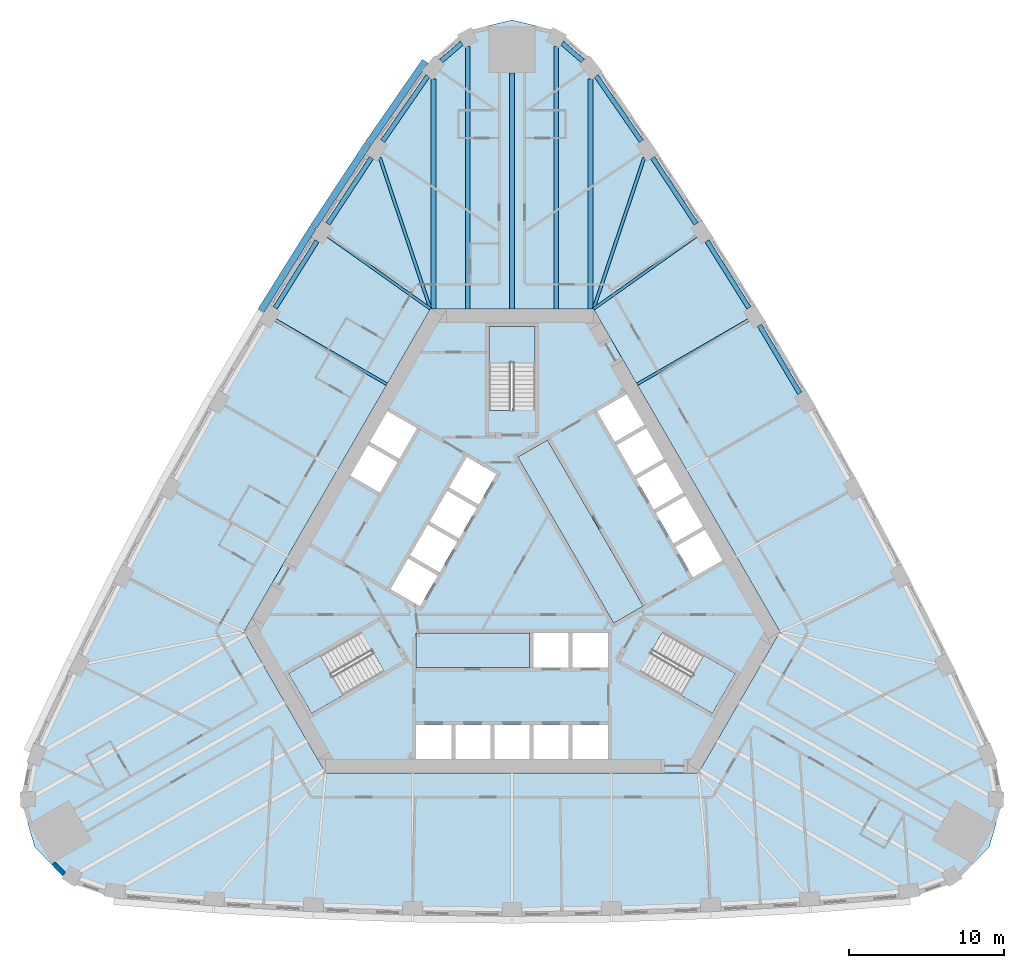
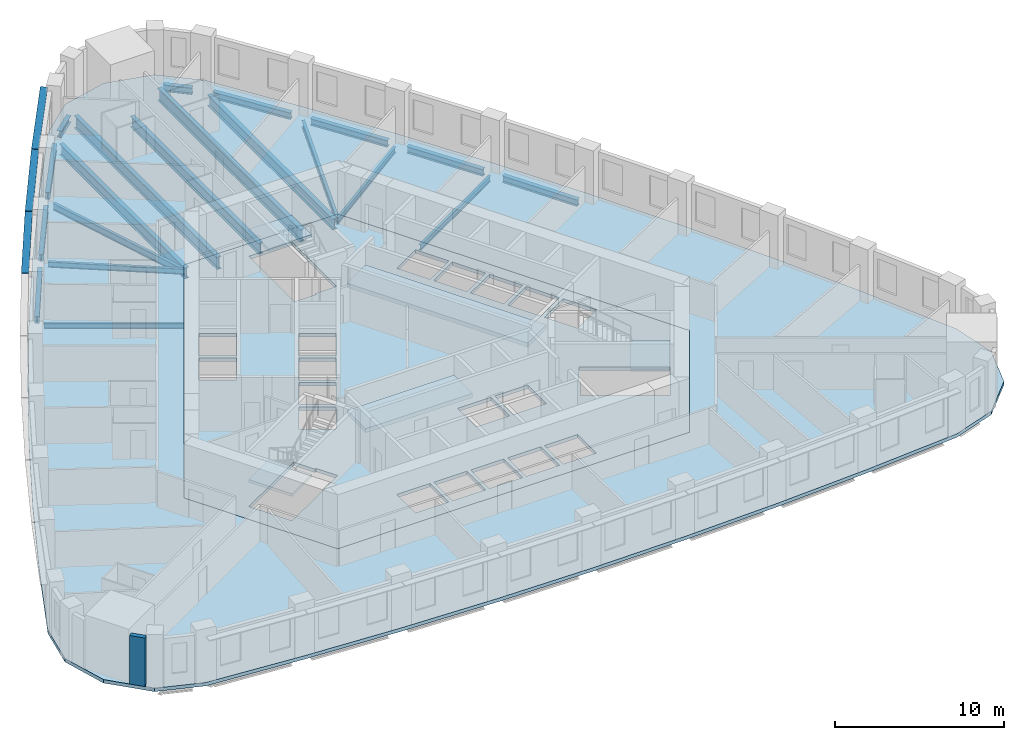
# One storey, part 2 of 12: 20 beams, 7 slabs, 3 members, 1 wall, 3 elements without a shape of their own.
"""IFC4 building model written with IfcOpenShell, lengths in metres."""

import ifcopenshell
import ifcopenshell.guid

model = None  # the IFC model being written
_history = None  # IfcOwnerHistory: only IFC2X3 demands one
_inside = {}  # id of a spatial element -> (the spatial element, [elements in it])
_under = {}  # id of a project, library or spatial element -> (it, [spatial elements below it])
_declared = {}  # id of a project -> (the project, [libraries it declares])
_typed = {}  # id of a type object -> (the type object, [elements of that type])
_made_of = {}  # id of a material, layer set ... -> (it, [elements and type objects made of it])


def new_model(schema):
    """Start an empty IFC model of exactly this schema.

    Asked for "IFC4X3", IfcOpenShell would pick the latest addendum, in which some entities
    have other attributes; the version numbers below select the first issue.
    IFC2X3 requires an IfcOwnerHistory on every rooted entity: one is made here for all.
    """
    global model, _history
    if schema == "IFC4X3":
        model = ifcopenshell.file(schema_version=(4, 3, 0, 0))
    else:
        model = ifcopenshell.file(schema=schema)
    _inside.clear()
    _under.clear()
    _declared.clear()
    _typed.clear()
    _made_of.clear()
    _history = None
    if model.schema == "IFC2X3":
        org = make("IfcOrganization", Name="unknown")
        user = make(
            "IfcPersonAndOrganization",
            ThePerson=make("IfcPerson", FamilyName="unknown"),
            TheOrganization=org,
        )
        app = make(
            "IfcApplication",
            ApplicationDeveloper=org,
            Version="unknown",
            ApplicationFullName="unknown",
            ApplicationIdentifier="unknown",
        )
        _history = make(
            "IfcOwnerHistory",
            OwningUser=user,
            OwningApplication=app,
            ChangeAction="ADDED",
            CreationDate=0,
        )
    return model


def make(cls, **values):
    """One entity of the class cls with the attributes given. An attribute that is None is left unset."""
    return model.create_entity(
        cls, **{name: value for name, value in values.items() if value is not None}
    )


def rooted(cls, **values):
    """An entity with a GlobalId (a new one), such as an element, a storey or a relation."""
    return make(cls, GlobalId=ifcopenshell.guid.new(), OwnerHistory=_history, **values)


def si_unit(unit_type, name, prefix=None):
    """IfcSIUnit, for example si_unit("LENGTHUNIT", "METRE", prefix="MILLI")."""
    return make("IfcSIUnit", UnitType=unit_type, Prefix=prefix, Name=name)


def assignment(units):
    """IfcUnitAssignment: the units of a project."""
    return None if units is None else make("IfcUnitAssignment", Units=units)


def point(xyz):
    """IfcCartesianPoint."""
    return None if xyz is None else make("IfcCartesianPoint", Coordinates=xyz)


def direction(xyz):
    """IfcDirection."""
    return None if xyz is None else make("IfcDirection", DirectionRatios=xyz)


def frame(location, z_axis=None, x_axis=None):
    """IfcAxis2Placement3D, a coordinate frame: its origin and axes. An axis left out is left unset."""
    return make(
        "IfcAxis2Placement3D",
        Location=point(location),
        Axis=direction(z_axis),
        RefDirection=direction(x_axis),
    )


def frame_2d(location, x_axis=None):
    """IfcAxis2Placement2D, a coordinate frame in the plane: its origin and x axis."""
    return make(
        "IfcAxis2Placement2D", Location=point(location), RefDirection=direction(x_axis)
    )


def origin():
    """The frame at (0, 0, 0) with its axes left unset."""
    return frame((0.0, 0.0, 0.0))


def origin_2d():
    """The frame at (0, 0) in the plane with its x axis left unset."""
    return frame_2d((0.0, 0.0))


def place(relative_to, where):
    """IfcLocalPlacement: puts the frame where relative to a parent placement (None: the world)."""
    return make(
        "IfcLocalPlacement", PlacementRelTo=relative_to, RelativePlacement=where
    )


def context(
    kind, dimensions, precision=None, world=None, true_north=None, identifier=None
):
    """IfcGeometricRepresentationContext, for example the 3D "Model" context."""
    return make(
        "IfcGeometricRepresentationContext",
        ContextIdentifier=identifier,
        ContextType=kind,
        CoordinateSpaceDimension=dimensions,
        Precision=precision,
        WorldCoordinateSystem=world,
        TrueNorth=true_north,
    )


def subcontext(parent, identifier, kind, view, scale=None):
    """IfcGeometricRepresentationSubContext, for example "Body" below "Model"."""
    return make(
        "IfcGeometricRepresentationSubContext",
        ContextIdentifier=identifier,
        ContextType=kind,
        ParentContext=parent,
        TargetScale=scale,
        TargetView=view,
    )


def project(units=None, contexts=None):
    """IfcProject with its units and contexts."""
    return rooted(
        "IfcProject",
        Name="project",
        RepresentationContexts=contexts,
        UnitsInContext=assignment(units),
    )


def spatial(cls, under=None, at=None, **own):
    """A site, building, storey or space (cls), placed at a placement, below another one or the project."""
    s = rooted(cls, ObjectPlacement=at, **own)
    if under is not None:
        _under.setdefault(under.id(), (under, []))[1].append(s)
    return s


def polyline(points):
    """IfcPolyline through the points."""
    return make("IfcPolyline", Points=[point(p) for p in points])


def profile(cls, at=None, kind="AREA", **sizes):
    """A parametric profile (cls). Its sizes go by their IFC names, for example OverallWidth=200.0."""
    return make(cls, ProfileType=kind, Position=at, **sizes)


def rectangle(**sizes):
    """IfcRectangleProfileDef."""
    return profile("IfcRectangleProfileDef", **sizes)


def i_section(**sizes):
    """IfcIShapeProfileDef."""
    return profile("IfcIShapeProfileDef", **sizes)


def outline(outer, holes=None, kind="AREA"):
    """IfcArbitraryClosedProfileDef: a profile drawn as a closed curve; with holes, ...WithVoids."""
    if holes is None:
        return make("IfcArbitraryClosedProfileDef", ProfileType=kind, OuterCurve=outer)
    return make(
        "IfcArbitraryProfileDefWithVoids",
        ProfileType=kind,
        OuterCurve=outer,
        InnerCurves=holes,
    )


def extrude(swept, where, along, depth):
    """IfcExtrudedAreaSolid: the profile swept, set in the frame where, extruded along a direction by depth."""
    return make(
        "IfcExtrudedAreaSolid",
        SweptArea=swept,
        Position=where,
        ExtrudedDirection=direction(along),
        Depth=depth,
    )


def shape(context_of_items, identifier, shape_type, items):
    """IfcShapeRepresentation: the items that make up one representation, for example the "Body"."""
    return make(
        "IfcShapeRepresentation",
        ContextOfItems=context_of_items,
        RepresentationIdentifier=identifier,
        RepresentationType=shape_type,
        Items=items,
    )


def material(Name=None, Category=None):
    """IfcMaterial."""
    return make("IfcMaterial", Name=Name, Category=Category)


def layer(
    of_material, thickness, ventilated=None, Name=None, Category=None, Priority=None
):
    """IfcMaterialLayer: one layer of a wall or slab, of a material (None: an air gap)."""
    return make(
        "IfcMaterialLayer",
        Material=of_material,
        LayerThickness=thickness,
        IsVentilated=ventilated,
        Name=Name,
        Category=Category,
        Priority=Priority,
    )


def layer_set(layers, Name=None):
    """IfcMaterialLayerSet."""
    return make("IfcMaterialLayerSet", MaterialLayers=layers, LayerSetName=Name)


def material_profile(
    of_material, cross_section, Name=None, Category=None, Priority=None
):
    """IfcMaterialProfile: a cross section and its material."""
    return make(
        "IfcMaterialProfile",
        Name=Name,
        Material=of_material,
        Profile=cross_section,
        Priority=Priority,
        Category=Category,
    )


def profile_set(profiles, Name=None, composite=None):
    """IfcMaterialProfileSet."""
    return make(
        "IfcMaterialProfileSet",
        Name=Name,
        MaterialProfiles=profiles,
        CompositeProfile=composite,
    )


def made_of(thing, what):
    """Note that an element or type object is made of a material, layer set ...; save() writes the relation."""
    if what is not None:
        _made_of.setdefault(what.id(), (what, []))[1].append(thing)
    return thing


def type_object(cls, material=None, **own):
    """A type object (cls), such as IfcWallType, which elements share."""
    return made_of(rooted(cls, **own), material)


def element(
    cls,
    number,
    at=None,
    inside=None,
    cuts=None,
    type_object=None,
    material=None,
    context=None,
    identifier="Body",
    shape_type=None,
    held_by="IfcProductDefinitionShape",
    body=None,
    shapes=None,
    **own,
):
    """One element of the class cls, such as IfcWall. Its Tag is "e" and its number.

    at: its placement. inside: the storey or other place that contains it. cuts: it is an
    opening in that element (IfcRelVoidsElement). A single representation is given by context,
    identifier, shape_type and body (its items); several are given by shapes. held_by: the class
    of the entity that holds the representations. save() writes the other relations.
    """
    e = rooted(cls, Tag="e%d" % number, ObjectPlacement=at, **own)
    if body is not None:
        shapes = [shape(context, identifier, shape_type, body)]
    if shapes is not None:
        e.Representation = make(held_by, Representations=shapes)
    if inside is not None:
        _inside.setdefault(inside.id(), (inside, []))[1].append(e)
    if cuts is not None:
        rooted(
            "IfcRelVoidsElement", RelatingBuildingElement=cuts, RelatedOpeningElement=e
        )
    if type_object is not None:
        _typed.setdefault(type_object.id(), (type_object, []))[1].append(e)
    return made_of(e, material)


def aggregate(whole, parts):
    """IfcRelAggregates: a whole, such as a stair, and the parts it consists of."""
    return rooted("IfcRelAggregates", RelatingObject=whole, RelatedObjects=parts)


def save(model, path):
    """Write the relations noted so far, then the file.

    IfcRelAggregates (storeys below a building ...), IfcRelContainedInSpatialStructure (elements
    in a storey), IfcRelDefinesByType, IfcRelAssociatesMaterial and IfcRelDeclares: one each for
    every whole, place, type object, material and project.
    """
    for whole, parts in _under.values():
        aggregate(whole, parts)
    for where, things in _inside.values():
        rooted(
            "IfcRelContainedInSpatialStructure",
            RelatedElements=things,
            RelatingStructure=where,
        )
    for kind, things in _typed.values():
        rooted("IfcRelDefinesByType", RelatedObjects=things, RelatingType=kind)
    for what, things in _made_of.values():
        rooted("IfcRelAssociatesMaterial", RelatedObjects=things, RelatingMaterial=what)
    for by, libraries in _declared.values():
        rooted("IfcRelDeclares", RelatingContext=by, RelatedDefinitions=libraries)
    model.write(path)


model = new_model("IFC4")

# Units and contexts
model_context = context("Model", 3, precision=1e-05, world=origin(), true_north=direction((0.0, 1.0)))
body_context = subcontext(model_context, "Body", "Model", "MODEL_VIEW")
ifc_project = project(units=[si_unit("LENGTHUNIT", "METRE"), si_unit("AREAUNIT", "SQUARE_METRE"), si_unit("VOLUMEUNIT", "CUBIC_METRE"), si_unit("PLANEANGLEUNIT", "RADIAN"), si_unit("MASSUNIT", "GRAM", prefix="KILO")], contexts=[model_context])

# Site, building, storey
site_placement = place(None, origin())
site = spatial("IfcSite", under=ifc_project, at=site_placement, CompositionType="ELEMENT")
building_placement = place(site_placement, origin())
building = spatial("IfcBuilding", under=site, at=building_placement, Name="Mestral Congress Tower", CompositionType="ELEMENT")
storey_placement = place(building_placement, frame((0.0, 0.0, 130.5)))
storey = spatial("IfcBuildingStorey", under=building, at=storey_placement, Name="L31", CompositionType="ELEMENT", Elevation=130.5)

# Members
ifc_material_1 = material(Name="Glazed ceramic", Category="masonry")
ifc_material_profile_1 = material_profile(ifc_material_1, rectangle(XDim=0.449951171875, YDim=0.06005859375, at=origin_2d()), Name="Ceramic blade 450 x 60")
ifc_profile_set_1 = profile_set([ifc_material_profile_1], Name="Glazed ceramic")
member_type = type_object("IfcMemberType", Name="Facade sunshade blade 450 x 60", PredefinedType="USERDEFINED", material=ifc_profile_set_1)
member_placement = place(storey_placement, frame((-5.590576171875, 32.8505859375, 3.280029296875), z_axis=(-0.569144736399, -0.822237355652, 0.0), x_axis=(0.822237355652, -0.569144736399, 0.0)))
element("IfcMember", 1, at=member_placement, inside=storey, type_object=member_type, Name="Sunshade F2-00", ObjectType="SUNSHADE", PredefinedType="USERDEFINED", context=body_context, shape_type="SweptSolid", body=[
    extrude(rectangle(XDim=0.449951171875, YDim=0.06005859375, at=origin_2d()), origin(), (0.0, 0.0, 1.0), 6.421630859375),
])
for number, where, z_axis, x_axis, name in (
    (2, (-9.2705078125, 27.532958984375, 3.280029296875), (-0.549764307833, -0.835319822483, 0.0), (0.835319822483, -0.549764307833, 0.0), "Sunshade F2-01"),
    (3, (-12.797119140625, 22.173583984375, 3.280029296875), (-0.530060946156, -0.847959547007, 0.0), (0.847959547007, -0.530060946156, 0.0), "Sunshade F2-02"),
):
    element("IfcMember", number, at=place(storey_placement, frame(where, z_axis=z_axis, x_axis=x_axis)), inside=storey, type_object=member_type, Name=name, ObjectType="SUNSHADE", PredefinedType="USERDEFINED", context=body_context, shape_type="SweptSolid", body=[
        extrude(rectangle(XDim=0.449951171875, YDim=0.06005859375, at=origin_2d()), origin(), (0.0, 0.0, 1.0), 6.370361328125),
    ])

# Beams
ifc_material_2 = material(Name="Steel S355", Category="steel")
ifc_material_profile_2 = material_profile(ifc_material_2, i_section(OverallWidth=0.300048828125, OverallDepth=0.800048828125, WebThickness=0.017578125, FlangeThickness=0.032958984375, FilletRadius=0.030029296875, at=origin_2d()), Name="HEB 800")
ifc_profile_set_2 = profile_set([ifc_material_profile_2], Name="Steel S355")
beam_type_1 = type_object("IfcBeamType", Name="Floor beam HEB 800 S355", PredefinedType="BEAM", material=ifc_profile_set_2)
beam_1_placement = place(storey_placement, frame((5.056396484375, 31.72412109375, -0.64990234375), z_axis=(0.0, -1.0, 0.0), x_axis=(1.0, 0.0, 0.0)))
element("IfcBeam", 4, at=beam_1_placement, inside=storey, type_object=beam_type_1, Name="BM-L31-RB2-E08", PredefinedType="BEAM", context=body_context, shape_type="SweptSolid", body=[
    extrude(i_section(OverallWidth=0.300048828125, OverallDepth=0.800048828125, WebThickness=0.017578125, FlangeThickness=0.032958984375, FilletRadius=0.030029296875, at=origin_2d()), origin(), (0.0, 0.0, 1.0), 14.82421875),
])
beam_2_placement = place(storey_placement, frame((0.0, 32.098388671875, -0.64990234375), z_axis=(0.0, -1.0, 0.0), x_axis=(1.0, 0.0, 0.0)))
element("IfcBeam", 5, at=beam_2_placement, inside=storey, type_object=beam_type_1, Name="BM-L31-RB2-N", PredefinedType="BEAM", context=body_context, shape_type="SweptSolid", body=[
    extrude(i_section(OverallWidth=0.300048828125, OverallDepth=0.800048828125, WebThickness=0.017578125, FlangeThickness=0.032958984375, FilletRadius=0.030029296875, at=origin_2d()), origin(), (0.0, 0.0, 1.0), 15.198486328125),
])
beam_3_placement = place(storey_placement, frame((-5.056396484375, 31.72412109375, -0.64990234375), z_axis=(0.0, -1.0, 0.0), x_axis=(1.0, 0.0, 0.0)))
element("IfcBeam", 6, at=beam_3_placement, inside=storey, type_object=beam_type_1, Name="BM-L31-RB2-W00", PredefinedType="BEAM", context=body_context, shape_type="SweptSolid", body=[
    extrude(i_section(OverallWidth=0.300048828125, OverallDepth=0.800048828125, WebThickness=0.017578125, FlangeThickness=0.032958984375, FilletRadius=0.030029296875, at=origin_2d()), origin(), (0.0, 0.0, 1.0), 14.82421875),
])
ifc_material_profile_3 = material_profile(ifc_material_2, i_section(OverallWidth=0.300048828125, OverallDepth=0.89990234375, WebThickness=0.0185546875, FlangeThickness=0.034912109375, FilletRadius=0.030029296875, at=origin_2d()), Name="HEB 900")
ifc_profile_set_3 = profile_set([ifc_material_profile_3], Name="Steel S355")
beam_type_2 = type_object("IfcBeamType", Name="Floor beam HEB 900 S355", PredefinedType="BEAM", material=ifc_profile_set_3)
for number, where, z_axis, x_axis, name in (
    (7, (2.845703125, 33.794189453125, -0.699951171875), (0.0, -1.0, 0.0), (1.0, 0.0, 0.0), "BM-L31-RB2-N1"),
    (8, (-2.845703125, 33.794189453125, -0.699951171875), (0.0, -1.0, 0.0), (1.0, 0.0, 0.0), "BM-L31-RB2-N3"),
):
    element("IfcBeam", number, at=place(storey_placement, frame(where, z_axis=z_axis, x_axis=x_axis)), inside=storey, type_object=beam_type_2, Name=name, PredefinedType="BEAM", context=body_context, shape_type="SweptSolid", body=[
        extrude(i_section(OverallWidth=0.300048828125, OverallDepth=0.89990234375, WebThickness=0.0185546875, FlangeThickness=0.034912109375, FilletRadius=0.030029296875, at=origin_2d()), origin(), (0.0, 0.0, 1.0), 16.894287109375),
    ])
ifc_material_profile_4 = material_profile(ifc_material_2, i_section(OverallWidth=0.179931640625, OverallDepth=0.39990234375, WebThickness=0.008544921875, FlangeThickness=0.013427734375, FilletRadius=0.02099609375, at=origin_2d()), Name="IPE 400")
ifc_profile_set_4 = profile_set([ifc_material_profile_4], Name="Steel S355")
beam_type_3 = type_object("IfcBeamType", Name="Floor beam IPE 400 S355", PredefinedType="BEAM", material=ifc_profile_set_4)
beam_4_placement = place(storey_placement, frame((15.219482421875, 16.176513671875, -0.449951171875), z_axis=(-0.866015952286, -0.500016370119, 0.0), x_axis=(0.500016370119, -0.866015952286, 0.0)))
element("IfcBeam", 9, at=beam_4_placement, inside=storey, type_object=beam_type_3, Name="BM-L31-RB2-E05", PredefinedType="BEAM", context=body_context, shape_type="SweptSolid", body=[
    extrude(i_section(OverallWidth=0.179931640625, OverallDepth=0.39990234375, WebThickness=0.008544921875, FlangeThickness=0.013427734375, FilletRadius=0.02099609375, at=origin_2d()), origin(), (0.0, 0.0, 1.0), 8.268798828125),
])
for number, where, z_axis, x_axis, name in (
    (10, (11.849365234375, 21.568115234375, -0.449951171875), (-0.816232852676, -0.577723056673, 0.0), (0.577723056673, -0.816232852676, 0.0), "BM-L31-RB2-E06"),
    (11, (-11.849365234375, 21.568115234375, -0.449951171875), (0.816232852676, -0.577723056673, 0.0), (0.577723056673, 0.816232852676, 0.0), "BM-L31-RB2-W02"),
):
    element("IfcBeam", number, at=place(storey_placement, frame(where, z_axis=z_axis, x_axis=x_axis)), inside=storey, type_object=beam_type_3, Name=name, PredefinedType="BEAM", context=body_context, shape_type="SweptSolid", body=[
        extrude(i_section(OverallWidth=0.179931640625, OverallDepth=0.39990234375, WebThickness=0.008544921875, FlangeThickness=0.013427734375, FilletRadius=0.02099609375, at=origin_2d()), origin(), (0.0, 0.0, 1.0), 8.080322265625),
    ])
beam_5_placement = place(storey_placement, frame((-15.219482421875, 16.176513671875, -0.449951171875), z_axis=(0.866015952286, -0.500016370119, 0.0), x_axis=(0.500016370119, 0.866015952286, 0.0)))
element("IfcBeam", 12, at=beam_5_placement, inside=storey, type_object=beam_type_3, Name="BM-L31-RB2-W03", PredefinedType="BEAM", context=body_context, shape_type="SweptSolid", body=[
    extrude(i_section(OverallWidth=0.179931640625, OverallDepth=0.39990234375, WebThickness=0.008544921875, FlangeThickness=0.013427734375, FilletRadius=0.02099609375, at=origin_2d()), origin(), (0.0, 0.0, 1.0), 8.268798828125),
])
ifc_material_profile_5 = material_profile(ifc_material_2, i_section(OverallWidth=0.199951171875, OverallDepth=0.5, WebThickness=0.01025390625, FlangeThickness=0.01611328125, FilletRadius=0.02099609375, at=origin_2d()), Name="IPE 500")
ifc_profile_set_5 = profile_set([ifc_material_profile_5], Name="Steel S355")
beam_type_4 = type_object("IfcBeamType", Name="Floor beam IPE 500 S355", PredefinedType="BEAM", material=ifc_profile_set_5)
for number, where, z_axis, x_axis, name in (
    (13, (8.5185546875, 26.636962890625, -0.5), (-0.317888994992, -0.948127938025, 0.0), (0.948127938025, -0.317888994992, 0.0), "BM-L31-RB2-E07"),
    (14, (-8.5185546875, 26.636962890625, -0.5), (0.317888994992, -0.948127938025, 0.0), (0.948127938025, 0.317888994992, 0.0), "BM-L31-RB2-W01"),
):
    element("IfcBeam", number, at=place(storey_placement, frame(where, z_axis=z_axis, x_axis=x_axis)), inside=storey, type_object=beam_type_4, Name=name, PredefinedType="BEAM", context=body_context, shape_type="SweptSolid", body=[
        extrude(i_section(OverallWidth=0.199951171875, OverallDepth=0.5, WebThickness=0.01025390625, FlangeThickness=0.01611328125, FilletRadius=0.02099609375, at=origin_2d()), origin(), (0.0, 0.0, 1.0), 10.269775390625),
    ])
ifc_material_profile_6 = material_profile(ifc_material_2, i_section(OverallWidth=0.300048828125, OverallDepth=0.489990234375, WebThickness=0.011962890625, FlangeThickness=0.02294921875, FilletRadius=0.027099609375, at=origin_2d()), Name="HEA 500")
ifc_profile_set_6 = profile_set([ifc_material_profile_6], Name="Steel S355")
beam_type_5 = type_object("IfcBeamType", Name="Spandrel beam HEA 500 S355", PredefinedType="BEAM", material=ifc_profile_set_6)
for number, where, z_axis, x_axis, name in (
    (15, (18.542236328125, 11.455810546875, -0.4951171875), (-0.510081870963, 0.860125854114, 0.0), (-0.860125854114, -0.510081870963, 0.0), "SP-L31-SB2-E04"),
    (16, (15.2646484375, 16.95263671875, -0.4951171875), (-0.530046273959, 0.847968718446, 0.0), (-0.847968718446, -0.530046273959, 0.0), "SP-L31-SB2-E05"),
):
    element("IfcBeam", number, at=place(storey_placement, frame(where, z_axis=z_axis, x_axis=x_axis)), inside=storey, type_object=beam_type_5, Name=name, PredefinedType="BEAM", context=body_context, shape_type="SweptSolid", body=[
        extrude(i_section(OverallWidth=0.300048828125, OverallDepth=0.489990234375, WebThickness=0.011962890625, FlangeThickness=0.02294921875, FilletRadius=0.027099609375, at=origin_2d()), origin(), (0.0, 0.0, 1.0), 5.099853515625),
    ])
beam_6_placement = place(storey_placement, frame((11.859619140625, 22.371337890625, -0.4951171875), z_axis=(-0.549729920898, 0.835342453171, 0.0), x_axis=(-0.835342453171, -0.549729920898, 0.0)))
element("IfcBeam", 17, at=beam_6_placement, inside=storey, type_object=beam_type_5, Name="SP-L31-SB2-E06", PredefinedType="BEAM", context=body_context, shape_type="SweptSolid", body=[
    extrude(i_section(OverallWidth=0.300048828125, OverallDepth=0.489990234375, WebThickness=0.011962890625, FlangeThickness=0.02294921875, FilletRadius=0.027099609375, at=origin_2d()), origin(), (0.0, 0.0, 1.0), 5.099609375),
])
beam_7_placement = place(storey_placement, frame((8.32861328125, 27.708740234375, -0.4951171875), z_axis=(-0.569105377225, 0.822264598298, 0.0), x_axis=(-0.822264598298, -0.569105377225, 0.0)))
element("IfcBeam", 18, at=beam_7_placement, inside=storey, type_object=beam_type_5, Name="SP-L31-SB2-E07", PredefinedType="BEAM", context=body_context, shape_type="SweptSolid", body=[
    extrude(i_section(OverallWidth=0.300048828125, OverallDepth=0.489990234375, WebThickness=0.011962890625, FlangeThickness=0.02294921875, FilletRadius=0.027099609375, at=origin_2d()), origin(), (0.0, 0.0, 1.0), 5.09765625),
])
for number, where, z_axis, x_axis, name in (
    (19, (4.558349609375, 32.869140625, -0.4951171875), (-0.754917058401, 0.655820276398, 0.0), (-0.655820276398, -0.754917058401, 0.0), "SP-L31-SB2-E08"),
    (20, (-3.234130859375, 34.01953125, -0.4951171875), (-0.754917058401, -0.655820276398, 0.0), (0.655820276398, -0.754917058401, 0.0), "SP-L31-SB2-N3"),
):
    element("IfcBeam", number, at=place(storey_placement, frame(where, z_axis=z_axis, x_axis=x_axis)), inside=storey, type_object=beam_type_5, Name=name, PredefinedType="BEAM", context=body_context, shape_type="SweptSolid", body=[
        extrude(i_section(OverallWidth=0.300048828125, OverallDepth=0.489990234375, WebThickness=0.011962890625, FlangeThickness=0.02294921875, FilletRadius=0.027099609375, at=origin_2d()), origin(), (0.0, 0.0, 1.0), 1.754150390625),
    ])
beam_8_placement = place(storey_placement, frame((-5.427490234375, 31.900390625, -0.4951171875), z_axis=(-0.569105377225, -0.822264598298, 0.0), x_axis=(0.822264598298, -0.569105377225, 0.0)))
element("IfcBeam", 21, at=beam_8_placement, inside=storey, type_object=beam_type_5, Name="SP-L31-SB2-W00", PredefinedType="BEAM", context=body_context, shape_type="SweptSolid", body=[
    extrude(i_section(OverallWidth=0.300048828125, OverallDepth=0.489990234375, WebThickness=0.011962890625, FlangeThickness=0.02294921875, FilletRadius=0.027099609375, at=origin_2d()), origin(), (0.0, 0.0, 1.0), 5.09765625),
])
beam_9_placement = place(storey_placement, frame((-9.05615234375, 26.63134765625, -0.4951171875), z_axis=(-0.549729920898, -0.835342453171, 0.0), x_axis=(0.835342453171, -0.549729920898, 0.0)))
element("IfcBeam", 22, at=beam_9_placement, inside=storey, type_object=beam_type_5, Name="SP-L31-SB2-W01", PredefinedType="BEAM", context=body_context, shape_type="SweptSolid", body=[
    extrude(i_section(OverallWidth=0.300048828125, OverallDepth=0.489990234375, WebThickness=0.011962890625, FlangeThickness=0.02294921875, FilletRadius=0.027099609375, at=origin_2d()), origin(), (0.0, 0.0, 1.0), 5.099609375),
])
beam_10_placement = place(storey_placement, frame((-12.5615234375, 21.277099609375, -0.4951171875), z_axis=(-0.530046273959, -0.847968718446, 0.0), x_axis=(0.847968718446, -0.530046273959, 0.0)))
element("IfcBeam", 23, at=beam_10_placement, inside=storey, type_object=beam_type_5, Name="SP-L31-SB2-W02", PredefinedType="BEAM", context=body_context, shape_type="SweptSolid", body=[
    extrude(i_section(OverallWidth=0.300048828125, OverallDepth=0.489990234375, WebThickness=0.011962890625, FlangeThickness=0.02294921875, FilletRadius=0.027099609375, at=origin_2d()), origin(), (0.0, 0.0, 1.0), 5.099853515625),
])

# Slabs
ifc_material_3 = material(Name="Concrete C35/45", Category="concrete")
ifc_layer_1 = layer(ifc_material_3, 0.25)
ifc_layer_set_1 = layer_set([ifc_layer_1], Name="Concrete C35/45")
slab_type_1 = type_object("IfcSlabType", Name="Composite floor slab 250", PredefinedType="FLOOR", material=ifc_layer_set_1)
placement_1 = place(storey_placement, frame((0.0, 0.0, -0.25)))
element("IfcSlab", 24, at=placement_1, inside=storey, type_object=slab_type_1, Name="SL-L31", PredefinedType="FLOOR", context=body_context, shape_type="SweptSolid", body=[
    extrude(outline(polyline([(-25.656005859375, -21.041015625), (-28.581298828125, -20.03271484375), (-30.75390625, -17.755859375), (-31.639404296875, -14.73583984375), (-31.050048828125, -11.697998046875), (-28.28759765625, -5.856689453125), (-25.412109375, -0.12744140625), (-22.403564453125, 5.533203125), (-19.263671875, 11.121826171875), (-15.99365234375, 16.635498046875), (-12.595703125, 22.0712890625), (-9.07177734375, 27.426025390625), (-5.39404296875, 32.739013671875), (-3.05810546875, 34.768310546875), (0.0, 35.51171875), (3.05810546875, 34.768310546875), (5.39404296875, 32.739013671875), (9.07177734375, 27.426025390625), (12.595703125, 22.0712890625), (15.99365234375, 16.635498046875), (19.263671875, 11.121826171875), (22.403564453125, 5.533203125), (25.412109375, -0.12744140625), (28.28759765625, -5.856689453125), (31.050048828125, -11.697998046875), (31.639404296875, -14.73583984375), (30.75390625, -17.755859375), (28.581298828125, -20.03271484375), (25.656005859375, -21.041015625), (19.2158203125, -21.5693359375), (12.81640625, -21.94384765625), (6.409912109375, -22.168701171875), (0.0, -22.24365234375), (-6.409912109375, -22.168701171875), (-12.81640625, -21.94384765625), (-19.2158203125, -21.5693359375), (-25.656005859375, -21.041015625)]), holes=[polyline([(-5.25390625, 16.89990234375), (-17.2626953125, -3.89990234375), (-12.0087890625, -13.0), (12.0087890625, -13.0), (17.2626953125, -3.89990234375), (5.25390625, 16.89990234375), (-5.25390625, 16.89990234375)])]), origin(), (0.0, 0.0, 1.0), 0.25),
])
ifc_material_4 = material(Name="Concrete C60/75", Category="concrete")
ifc_layer_2 = layer(ifc_material_4, 0.25)
ifc_layer_set_2 = layer_set([ifc_layer_2], Name="Concrete C60/75")
slab_type_2 = type_object("IfcSlabType", Name="Core floor slab RC 250", PredefinedType="FLOOR", material=ifc_layer_set_2)
element("IfcSlab", 25, at=placement_1, inside=storey, type_object=slab_type_2, Name="L31 core floor", PredefinedType="FLOOR", context=body_context, shape_type="SweptSolid", body=[
    extrude(outline(polyline([(12.0087890625, -13.0), (-12.0087890625, -13.0), (-17.2626953125, -3.89990234375), (-5.25390625, 16.89990234375), (5.25390625, 16.89990234375), (17.2626953125, -3.89990234375), (12.0087890625, -13.0)]), holes=[polyline([(-3.905029296875, -9.89990234375), (-6.175048828125, -9.89990234375), (-6.175048828125, -12.10009765625), (-3.905029296875, -12.10009765625), (-3.905029296875, -9.89990234375)]), polyline([(-1.385009765625, -9.89990234375), (-3.655029296875, -9.89990234375), (-3.655029296875, -12.10009765625), (-1.385009765625, -12.10009765625), (-1.385009765625, -9.89990234375)]), polyline([(1.135009765625, -9.89990234375), (-1.135009765625, -9.89990234375), (-1.135009765625, -12.10009765625), (1.135009765625, -12.10009765625), (1.135009765625, -9.89990234375)]), polyline([(-9.0673828125, -5.235107421875), (-9.8046875, -3.95751953125), (-14.37744140625, -6.59765625), (-12.90234375, -9.15234375), (-8.234619140625, -6.45751953125), (-8.971923828125, -5.179931640625), (-9.0673828125, -5.235107421875)]), polyline([(-7.826904296875, -1.156494140625), (-5.921630859375, -2.256591796875), (-4.78662109375, -0.29052734375), (-6.69189453125, 0.809326171875), (-7.826904296875, -1.156494140625)]), polyline([(-4.66162109375, -0.07421875), (-3.526611328125, 1.8916015625), (-5.431884765625, 2.99169921875), (-6.56689453125, 1.02587890625), (-4.66162109375, -0.07421875)]), polyline([(-3.401611328125, 2.1083984375), (-2.2666015625, 4.07421875), (-4.171875, 5.174072265625), (-5.306884765625, 3.208251953125), (-3.401611328125, 2.1083984375)]), polyline([(-2.1416015625, 4.29052734375), (-1.006591796875, 6.256591796875), (-2.911865234375, 7.3564453125), (-4.046875, 5.390625), (-2.1416015625, 4.29052734375)]), polyline([(-10.41650390625, 6.158203125), (-8.51123046875, 5.058349609375), (-7.376220703125, 7.024169921875), (-9.281494140625, 8.1240234375), (-10.41650390625, 6.158203125)]), polyline([(-9.156494140625, 8.340576171875), (-7.251220703125, 7.240478515625), (-6.1162109375, 9.20654296875), (-8.021484375, 10.306396484375), (-9.156494140625, 8.340576171875)]), polyline([(1.47509765625, 10.469970703125), (1.47509765625, 15.75), (-1.47509765625, 15.75), (-1.47509765625, 10.360107421875), (0.0, 10.360107421875), (0.0, 10.469970703125), (1.47509765625, 10.469970703125)]), polyline([(3.655029296875, -9.89990234375), (1.385009765625, -9.89990234375), (1.385009765625, -12.10009765625), (3.655029296875, -12.10009765625), (3.655029296875, -9.89990234375)]), polyline([(6.175048828125, -9.89990234375), (3.905029296875, -9.89990234375), (3.905029296875, -12.10009765625), (6.175048828125, -12.10009765625), (6.175048828125, -9.89990234375)]), polyline([(9.0673828125, -5.235107421875), (8.329833984375, -6.512451171875), (12.90234375, -9.15234375), (14.37744140625, -6.59765625), (9.70947265625, -3.902587890625), (8.971923828125, -5.179931640625), (9.0673828125, -5.235107421875)]), polyline([(3.655029296875, -6.199951171875), (3.655029296875, -4.0), (1.385009765625, -4.0), (1.385009765625, -6.199951171875), (3.655029296875, -6.199951171875)]), polyline([(6.175048828125, -4.0), (3.905029296875, -4.0), (3.905029296875, -6.199951171875), (6.175048828125, -6.199951171875), (6.175048828125, -4.0)]), polyline([(12.431396484375, 2.668212890625), (10.526123046875, 1.568115234375), (11.6611328125, -0.397705078125), (13.56640625, 0.702392578125), (12.431396484375, 2.668212890625)]), polyline([(11.17138671875, 4.8505859375), (9.26611328125, 3.75048828125), (10.401123046875, 1.78466796875), (12.306396484375, 2.884765625), (11.17138671875, 4.8505859375)]), polyline([(8.006103515625, 5.932861328125), (9.14111328125, 3.967041015625), (11.04638671875, 5.067138671875), (9.911376953125, 7.032958984375), (8.006103515625, 5.932861328125)]), polyline([(8.6513671875, 9.21533203125), (6.74609375, 8.115234375), (7.881103515625, 6.1494140625), (9.786376953125, 7.24951171875), (8.6513671875, 9.21533203125)]), polyline([(7.391357421875, 11.397705078125), (5.486083984375, 10.297607421875), (6.62109375, 8.331787109375), (8.5263671875, 9.431884765625), (7.391357421875, 11.397705078125)])]), origin(), (0.0, 0.0, 1.0), 0.25),
])

# Stair, slab
stair_type = type_object("IfcStairType", Name="Exit stair 1400", PredefinedType="HALF_TURN_STAIR", material=ifc_material_4)
placement_2 = place(storey_placement, origin())
stair_1 = element("IfcStair", 26, at=placement_2, inside=storey, type_object=stair_type, Name="L31 ST1", PredefinedType="HALF_TURN_STAIR")
ifc_layer_3 = layer(ifc_material_4, 0.199951171875)
ifc_layer_set_3 = layer_set([ifc_layer_3], Name="Concrete C60/75")
slab_type_3 = type_object("IfcSlabType", Name="Exit stair landing 200", PredefinedType="LANDING", material=ifc_layer_set_3)
placement_3 = place(storey_placement, frame((0.0, 0.0, 1.75)))
slab_3 = element("IfcSlab", 27, at=placement_3, type_object=slab_type_3, Name="ST1 landing 1", PredefinedType="LANDING", context=body_context, shape_type="SweptSolid", body=[
    extrude(outline(polyline([(10.879638671875, -7.99609375), (12.364501953125, -5.424072265625), (14.39111328125, -6.593994140625), (12.906005859375, -9.166015625), (10.879638671875, -7.99609375)])), origin(), (0.0, 0.0, 1.0), 0.199951171875),
])
aggregate(stair_1, [slab_3])

stair_2 = element("IfcStair", 28, at=placement_2, inside=storey, type_object=stair_type, Name="L31 ST2", PredefinedType="HALF_TURN_STAIR")
slab_4 = element("IfcSlab", 29, at=placement_3, type_object=slab_type_3, Name="ST2 landing 1", PredefinedType="LANDING", context=body_context, shape_type="SweptSolid", body=[
    extrude(outline(polyline([(1.485107421875, 13.419921875), (-1.485107421875, 13.419921875), (-1.485107421875, 15.760009765625), (1.485107421875, 15.760009765625), (1.485107421875, 13.419921875)])), origin(), (0.0, 0.0, 1.0), 0.199951171875),
])
aggregate(stair_2, [slab_4])

stair_3 = element("IfcStair", 30, at=placement_2, inside=storey, type_object=stair_type, Name="L31 ST3", PredefinedType="HALF_TURN_STAIR")
slab_5 = element("IfcSlab", 31, at=placement_3, type_object=slab_type_3, Name="ST3 landing 1", PredefinedType="LANDING", context=body_context, shape_type="SweptSolid", body=[
    extrude(outline(polyline([(-12.364501953125, -5.424072265625), (-10.879638671875, -7.99609375), (-12.906005859375, -9.166015625), (-14.39111328125, -6.593994140625), (-12.364501953125, -5.424072265625)])), origin(), (0.0, 0.0, 1.0), 0.199951171875),
])
aggregate(stair_3, [slab_5])

# Slabs
ifc_layer_4 = layer(ifc_material_4, 0.300048828125)
ifc_layer_set_4 = layer_set([ifc_layer_4], Name="Concrete C60/75")
slab_type_4 = type_object("IfcSlabType", Name="Lift pit slab RC 300", PredefinedType="FLOOR", material=ifc_layer_set_4)
placement_4 = place(storey_placement, frame((0.0, 0.0, 2.199951171875)))
element("IfcSlab", 32, at=placement_4, inside=storey, type_object=slab_type_4, Name="Lift pit slab", PredefinedType="FLOOR", context=body_context, shape_type="SweptSolid", body=[
    extrude(outline(polyline([(8.456787109375, -2.247802734375), (2.281982421875, 8.44775390625), (0.376708984375, 7.34765625), (6.551513671875, -3.34765625), (8.456787109375, -2.247802734375)])), origin(), (0.0, 0.0, 1.0), 0.300048828125),
])
element("IfcSlab", 33, at=placement_4, inside=storey, type_object=slab_type_4, Name="Lift pit slab", PredefinedType="FLOOR", context=body_context, shape_type="SweptSolid", body=[
    extrude(outline(polyline([(-6.175048828125, -6.199951171875), (1.135009765625, -6.199951171875), (1.135009765625, -4.0), (-6.175048828125, -4.0), (-6.175048828125, -6.199951171875)])), origin(), (0.0, 0.0, 1.0), 0.300048828125),
])

# Wall
ifc_material_5 = material(Name="Precast concrete C40/50 with limestone facing", Category="masonry")
ifc_layer_5 = layer(ifc_material_5, 0.2900390625)
ifc_layer_set_5 = layer_set([ifc_layer_5], Name="Precast concrete C40/50 with limestone facing")
wall_type = type_object("IfcWallType", Name="Facade stone wall 290", PredefinedType="SOLIDWALL", material=ifc_layer_set_5)
wall_placement = place(storey_placement, frame((-29.5341796875, -18.82421875, 0.0), z_axis=(0.0, 0.0, 1.0), x_axis=(0.690414427296, -0.723414071319, 0.0)))
element("IfcWall", 34, at=wall_placement, inside=storey, type_object=wall_type, Name="Facade wall K2-2", PredefinedType="SOLIDWALL", context=body_context, shape_type="SweptSolid", body=[
    extrude(rectangle(XDim=0.947021484375, YDim=0.2900390625, at=frame_2d((0.4736328125, 0.0))), origin(), (0.0, 0.0, 1.0), 3.5),
])

save(model, "model.ifc")
